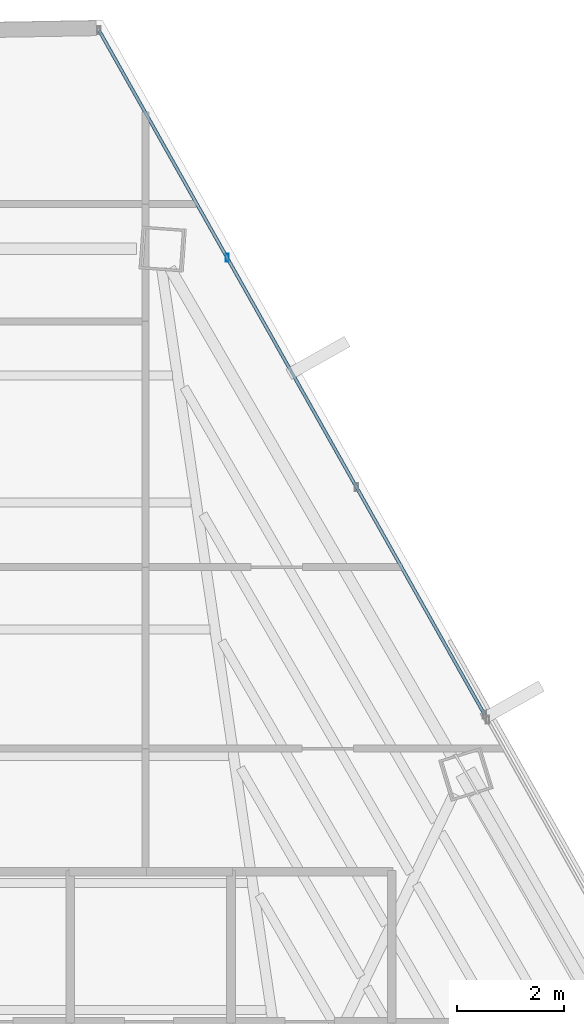
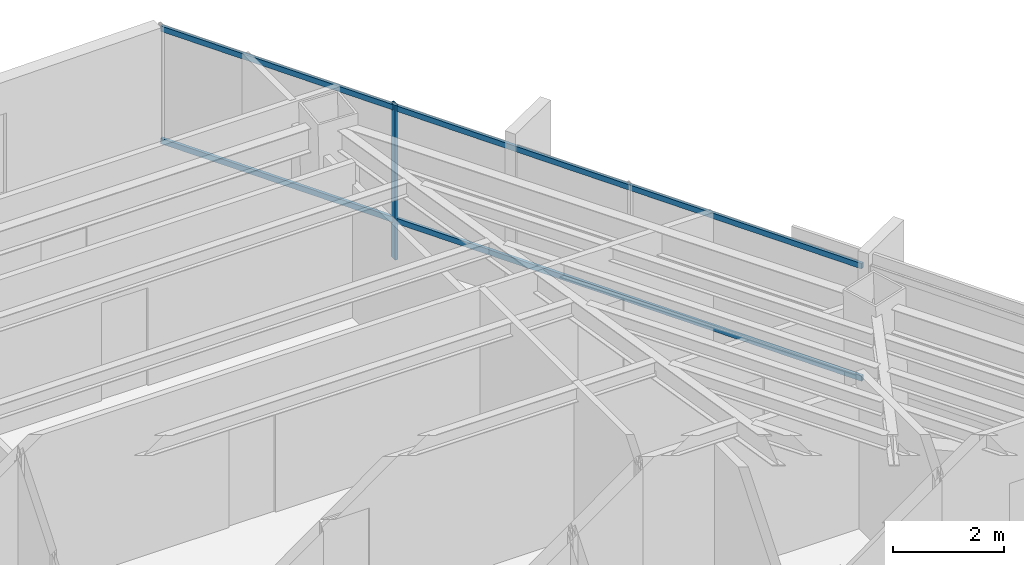
# One storey, part 33 of 42: 3 members, 1 element without a shape of its own.
"""IFC4 building model written with IfcOpenShell, lengths in metres."""

import ifcopenshell
import ifcopenshell.guid

model = None  # the IFC model being written
_history = None  # IfcOwnerHistory: only IFC2X3 demands one
_inside = {}  # id of a spatial element -> (the spatial element, [elements in it])
_under = {}  # id of a project, library or spatial element -> (it, [spatial elements below it])
_declared = {}  # id of a project -> (the project, [libraries it declares])
_typed = {}  # id of a type object -> (the type object, [elements of that type])
_made_of = {}  # id of a material, layer set ... -> (it, [elements and type objects made of it])


def new_model(schema):
    """Start an empty IFC model of exactly this schema.

    Asked for "IFC4X3", IfcOpenShell would pick the latest addendum, in which some entities
    have other attributes; the version numbers below select the first issue.
    IFC2X3 requires an IfcOwnerHistory on every rooted entity: one is made here for all.
    """
    global model, _history
    if schema == "IFC4X3":
        model = ifcopenshell.file(schema_version=(4, 3, 0, 0))
    else:
        model = ifcopenshell.file(schema=schema)
    _inside.clear()
    _under.clear()
    _declared.clear()
    _typed.clear()
    _made_of.clear()
    _history = None
    if model.schema == "IFC2X3":
        org = make("IfcOrganization", Name="unknown")
        user = make(
            "IfcPersonAndOrganization",
            ThePerson=make("IfcPerson", FamilyName="unknown"),
            TheOrganization=org,
        )
        app = make(
            "IfcApplication",
            ApplicationDeveloper=org,
            Version="unknown",
            ApplicationFullName="unknown",
            ApplicationIdentifier="unknown",
        )
        _history = make(
            "IfcOwnerHistory",
            OwningUser=user,
            OwningApplication=app,
            ChangeAction="ADDED",
            CreationDate=0,
        )
    return model


def make(cls, **values):
    """One entity of the class cls with the attributes given. An attribute that is None is left unset."""
    return model.create_entity(
        cls, **{name: value for name, value in values.items() if value is not None}
    )


def rooted(cls, **values):
    """An entity with a GlobalId (a new one), such as an element, a storey or a relation."""
    return make(cls, GlobalId=ifcopenshell.guid.new(), OwnerHistory=_history, **values)


def si_unit(unit_type, name, prefix=None):
    """IfcSIUnit, for example si_unit("LENGTHUNIT", "METRE", prefix="MILLI")."""
    return make("IfcSIUnit", UnitType=unit_type, Prefix=prefix, Name=name)


def assignment(units):
    """IfcUnitAssignment: the units of a project."""
    return None if units is None else make("IfcUnitAssignment", Units=units)


def point(xyz):
    """IfcCartesianPoint."""
    return None if xyz is None else make("IfcCartesianPoint", Coordinates=xyz)


def direction(xyz):
    """IfcDirection."""
    return None if xyz is None else make("IfcDirection", DirectionRatios=xyz)


def frame(location, z_axis=None, x_axis=None):
    """IfcAxis2Placement3D, a coordinate frame: its origin and axes. An axis left out is left unset."""
    return make(
        "IfcAxis2Placement3D",
        Location=point(location),
        Axis=direction(z_axis),
        RefDirection=direction(x_axis),
    )


def frame_2d(location, x_axis=None):
    """IfcAxis2Placement2D, a coordinate frame in the plane: its origin and x axis."""
    return make(
        "IfcAxis2Placement2D", Location=point(location), RefDirection=direction(x_axis)
    )


def origin():
    """The frame at (0, 0, 0) with its axes left unset."""
    return frame((0.0, 0.0, 0.0))


def origin_2d():
    """The frame at (0, 0) in the plane with its x axis left unset."""
    return frame_2d((0.0, 0.0))


def place(relative_to, where):
    """IfcLocalPlacement: puts the frame where relative to a parent placement (None: the world)."""
    return make(
        "IfcLocalPlacement", PlacementRelTo=relative_to, RelativePlacement=where
    )


def context(
    kind, dimensions, precision=None, world=None, true_north=None, identifier=None
):
    """IfcGeometricRepresentationContext, for example the 3D "Model" context."""
    return make(
        "IfcGeometricRepresentationContext",
        ContextIdentifier=identifier,
        ContextType=kind,
        CoordinateSpaceDimension=dimensions,
        Precision=precision,
        WorldCoordinateSystem=world,
        TrueNorth=true_north,
    )


def subcontext(parent, identifier, kind, view, scale=None):
    """IfcGeometricRepresentationSubContext, for example "Body" below "Model"."""
    return make(
        "IfcGeometricRepresentationSubContext",
        ContextIdentifier=identifier,
        ContextType=kind,
        ParentContext=parent,
        TargetScale=scale,
        TargetView=view,
    )


def project(units=None, contexts=None):
    """IfcProject with its units and contexts."""
    return rooted(
        "IfcProject",
        Name="project",
        RepresentationContexts=contexts,
        UnitsInContext=assignment(units),
    )


def spatial(cls, under=None, at=None, **own):
    """A site, building, storey or space (cls), placed at a placement, below another one or the project."""
    s = rooted(cls, ObjectPlacement=at, **own)
    if under is not None:
        _under.setdefault(under.id(), (under, []))[1].append(s)
    return s


def profile(cls, at=None, kind="AREA", **sizes):
    """A parametric profile (cls). Its sizes go by their IFC names, for example OverallWidth=200.0."""
    return make(cls, ProfileType=kind, Position=at, **sizes)


def hollow_rectangle(**sizes):
    """IfcRectangleHollowProfileDef."""
    return profile("IfcRectangleHollowProfileDef", **sizes)


def extrude(swept, where, along, depth):
    """IfcExtrudedAreaSolid: the profile swept, set in the frame where, extruded along a direction by depth."""
    return make(
        "IfcExtrudedAreaSolid",
        SweptArea=swept,
        Position=where,
        ExtrudedDirection=direction(along),
        Depth=depth,
    )


def shape(context_of_items, identifier, shape_type, items):
    """IfcShapeRepresentation: the items that make up one representation, for example the "Body"."""
    return make(
        "IfcShapeRepresentation",
        ContextOfItems=context_of_items,
        RepresentationIdentifier=identifier,
        RepresentationType=shape_type,
        Items=items,
    )


def source(mapping_origin, context_of_items, identifier, shape_type, items):
    """IfcRepresentationMap: a shape defined once, which mapped items show again and again."""
    return make(
        "IfcRepresentationMap",
        MappingOrigin=mapping_origin,
        MappedRepresentation=shape(context_of_items, identifier, shape_type, items),
    )


def transform(
    local_origin,
    x_axis=None,
    y_axis=None,
    z_axis=None,
    scale=None,
    scale2=None,
    scale3=None,
    uniform=True,
):
    """IfcCartesianTransformationOperator3D, or its non-uniform kind. x_axis, y_axis, z_axis: its Axis1, 2, 3."""
    if uniform:
        return make(
            "IfcCartesianTransformationOperator3D",
            Axis1=direction(x_axis),
            Axis2=direction(y_axis),
            LocalOrigin=point(local_origin),
            Scale=scale,
            Axis3=direction(z_axis),
        )
    return make(
        "IfcCartesianTransformationOperator3DnonUniform",
        Axis1=direction(x_axis),
        Axis2=direction(y_axis),
        LocalOrigin=point(local_origin),
        Scale=scale,
        Axis3=direction(z_axis),
        Scale2=scale2,
        Scale3=scale3,
    )


def mapped(mapping_source, mapping_target):
    """IfcMappedItem: shows the shape of a source again, moved by a transform."""
    return make(
        "IfcMappedItem", MappingSource=mapping_source, MappingTarget=mapping_target
    )


def material(Name=None, Category=None):
    """IfcMaterial."""
    return make("IfcMaterial", Name=Name, Category=Category)


def material_profile(
    of_material, cross_section, Name=None, Category=None, Priority=None
):
    """IfcMaterialProfile: a cross section and its material."""
    return make(
        "IfcMaterialProfile",
        Name=Name,
        Material=of_material,
        Profile=cross_section,
        Priority=Priority,
        Category=Category,
    )


def profile_set(profiles, Name=None, composite=None):
    """IfcMaterialProfileSet."""
    return make(
        "IfcMaterialProfileSet",
        Name=Name,
        MaterialProfiles=profiles,
        CompositeProfile=composite,
    )


def made_of(thing, what):
    """Note that an element or type object is made of a material, layer set ...; save() writes the relation."""
    if what is not None:
        _made_of.setdefault(what.id(), (what, []))[1].append(thing)
    return thing


def type_object(cls, material=None, **own):
    """A type object (cls), such as IfcWallType, which elements share."""
    return made_of(rooted(cls, **own), material)


def type_shapes(of_type, sources):
    """Give a type object the sources (RepresentationMaps) that its elements show as mapped items."""
    of_type.RepresentationMaps = sources


def element(
    cls,
    number,
    at=None,
    inside=None,
    cuts=None,
    type_object=None,
    material=None,
    context=None,
    identifier="Body",
    shape_type=None,
    held_by="IfcProductDefinitionShape",
    body=None,
    shapes=None,
    **own,
):
    """One element of the class cls, such as IfcWall. Its Tag is "e" and its number.

    at: its placement. inside: the storey or other place that contains it. cuts: it is an
    opening in that element (IfcRelVoidsElement). A single representation is given by context,
    identifier, shape_type and body (its items); several are given by shapes. held_by: the class
    of the entity that holds the representations. save() writes the other relations.
    """
    e = rooted(cls, Tag="e%d" % number, ObjectPlacement=at, **own)
    if body is not None:
        shapes = [shape(context, identifier, shape_type, body)]
    if shapes is not None:
        e.Representation = make(held_by, Representations=shapes)
    if inside is not None:
        _inside.setdefault(inside.id(), (inside, []))[1].append(e)
    if cuts is not None:
        rooted(
            "IfcRelVoidsElement", RelatingBuildingElement=cuts, RelatedOpeningElement=e
        )
    if type_object is not None:
        _typed.setdefault(type_object.id(), (type_object, []))[1].append(e)
    return made_of(e, material)


def aggregate(whole, parts):
    """IfcRelAggregates: a whole, such as a stair, and the parts it consists of."""
    return rooted("IfcRelAggregates", RelatingObject=whole, RelatedObjects=parts)


def save(model, path):
    """Write the relations noted so far, then the file.

    IfcRelAggregates (storeys below a building ...), IfcRelContainedInSpatialStructure (elements
    in a storey), IfcRelDefinesByType, IfcRelAssociatesMaterial and IfcRelDeclares: one each for
    every whole, place, type object, material and project.
    """
    for whole, parts in _under.values():
        aggregate(whole, parts)
    for where, things in _inside.values():
        rooted(
            "IfcRelContainedInSpatialStructure",
            RelatedElements=things,
            RelatingStructure=where,
        )
    for kind, things in _typed.values():
        rooted("IfcRelDefinesByType", RelatedObjects=things, RelatingType=kind)
    for what, things in _made_of.values():
        rooted("IfcRelAssociatesMaterial", RelatedObjects=things, RelatingMaterial=what)
    for by, libraries in _declared.values():
        rooted("IfcRelDeclares", RelatingContext=by, RelatedDefinitions=libraries)
    model.write(path)


model = new_model("IFC4")

# Units and contexts
model_context = context("Model", 3, precision=1e-05, world=origin(), true_north=direction((0.0, 1.0)))
body_context = subcontext(model_context, "Body", "Model", "MODEL_VIEW")
ifc_project = project(units=[si_unit("LENGTHUNIT", "METRE"), si_unit("AREAUNIT", "SQUARE_METRE"), si_unit("VOLUMEUNIT", "CUBIC_METRE"), si_unit("PLANEANGLEUNIT", "RADIAN"), si_unit("MASSUNIT", "GRAM", prefix="KILO")], contexts=[model_context])

# Site, building, storey
site_placement = place(None, origin())
site = spatial("IfcSite", under=ifc_project, at=site_placement, CompositionType="ELEMENT")
building_placement = place(site_placement, origin())
building = spatial("IfcBuilding", under=site, at=building_placement, Name="Caelisora Broadcast Tower", CompositionType="ELEMENT")
storey_placement = place(building_placement, frame((0.0, 0.0, 202.300048828125)))
storey = spatial("IfcBuildingStorey", under=building, at=storey_placement, Name="L53", CompositionType="ELEMENT", Elevation=202.300048828125)

# Curtain wall, members
ifc_material_1 = material(Name="Unitised Aluminium and Low-E Glass Curtain Wall", Category="glass")
curtain_wall_type = type_object("IfcCurtainWallType", Name="CW-Z4", PredefinedType="NOTDEFINED", material=ifc_material_1)
curtain_wall_placement = place(storey_placement, origin())
curtain_wall = element("IfcCurtainWall", 1, at=curtain_wall_placement, inside=storey, type_object=curtain_wall_type, Name="L53 curtain wall CW-Z4", PredefinedType="NOTDEFINED")
ifc_material_2 = material(Name="Aluminium 6063-T6 Anodised Terracotta Bronze", Category="aluminium")
ifc_material_profile_1 = material_profile(ifc_material_2, hollow_rectangle(XDim=0.06005859375, YDim=0.14990234375, WallThickness=0.00341796875, at=origin_2d()), Name="Aluminium 6063-T6 Anodised Terracotta Bronze")
ifc_profile_set_1 = profile_set([ifc_material_profile_1], Name="Aluminium 6063-T6 Anodised Terracotta Bronze")
member_type_1 = type_object("IfcMemberType", Name="CWM-03", PredefinedType="MULLION", material=ifc_profile_set_1)
shared_shape_1 = source(origin(), body_context, "Body", "SweptSolid", [
    extrude(hollow_rectangle(XDim=0.06005859375, YDim=0.14990234375, WallThickness=0.00341796875, at=origin_2d()), origin(), (0.0, 0.0, 1.0), 3.39990234375),
])
type_shapes(member_type_1, [shared_shape_1])
member_1_placement = place(storey_placement, frame((44.328125, 46.418212890625, 0.0), z_axis=(0.0, 0.0, 1.0), x_axis=(1.0, 0.0, 0.0)))
member_1 = element("IfcMember", 2, at=member_1_placement, type_object=member_type_1, Name="L53-CW-B01 mullion #1", PredefinedType="MULLION", context=body_context, shape_type="MappedRepresentation", body=[
    mapped(shared_shape_1, transform((0.0, 0.0, 0.0), scale=1.0)),
])
ifc_material_profile_2 = material_profile(ifc_material_2, hollow_rectangle(XDim=0.06005859375, YDim=0.1201171875, WallThickness=0.0029296875, at=origin_2d()), Name="Aluminium 6063-T6 Anodised Terracotta Bronze")
ifc_profile_set_2 = profile_set([ifc_material_profile_2], Name="Aluminium 6063-T6 Anodised Terracotta Bronze")
member_type_2 = type_object("IfcMemberType", Name="CWT-03", PredefinedType="USERDEFINED", material=ifc_profile_set_2)
shared_shape_2 = source(origin(), body_context, "Body", "SweptSolid", [
    extrude(hollow_rectangle(XDim=0.06005859375, YDim=0.1201171875, WallThickness=0.0029296875, at=origin_2d()), origin(), (0.0, 0.0, 1.0), 14.664794921875),
])
type_shapes(member_type_2, [shared_shape_2])
member_2_placement = place(storey_placement, frame((41.9365234375, 50.662353515625, 0.849853515625), z_axis=(0.490936106757, -0.87119558027, 0.0), x_axis=(0.87119558027, 0.490936106757, 0.0)))
member_2 = element("IfcMember", 3, at=member_2_placement, type_object=member_type_2, Name="L53-CW-B01 transom #1", ObjectType="TRANSOM", PredefinedType="USERDEFINED", context=body_context, shape_type="MappedRepresentation", body=[
    mapped(shared_shape_2, transform((0.0, 0.0, 0.0), scale=1.0)),
])
member_3_placement = place(storey_placement, frame((41.9365234375, 50.662353515625, 3.320068359375), z_axis=(0.490936106757, -0.87119558027, 0.0), x_axis=(0.87119558027, 0.490936106757, 0.0)))
member_3 = element("IfcMember", 4, at=member_3_placement, type_object=member_type_2, Name="L53-CW-B01 transom #2", ObjectType="TRANSOM", PredefinedType="USERDEFINED", context=body_context, shape_type="MappedRepresentation", body=[
    mapped(shared_shape_2, transform((0.0, 0.0, 0.0), scale=1.0)),
])
aggregate(curtain_wall, [member_1, member_2, member_3])

save(model, "model.ifc")
